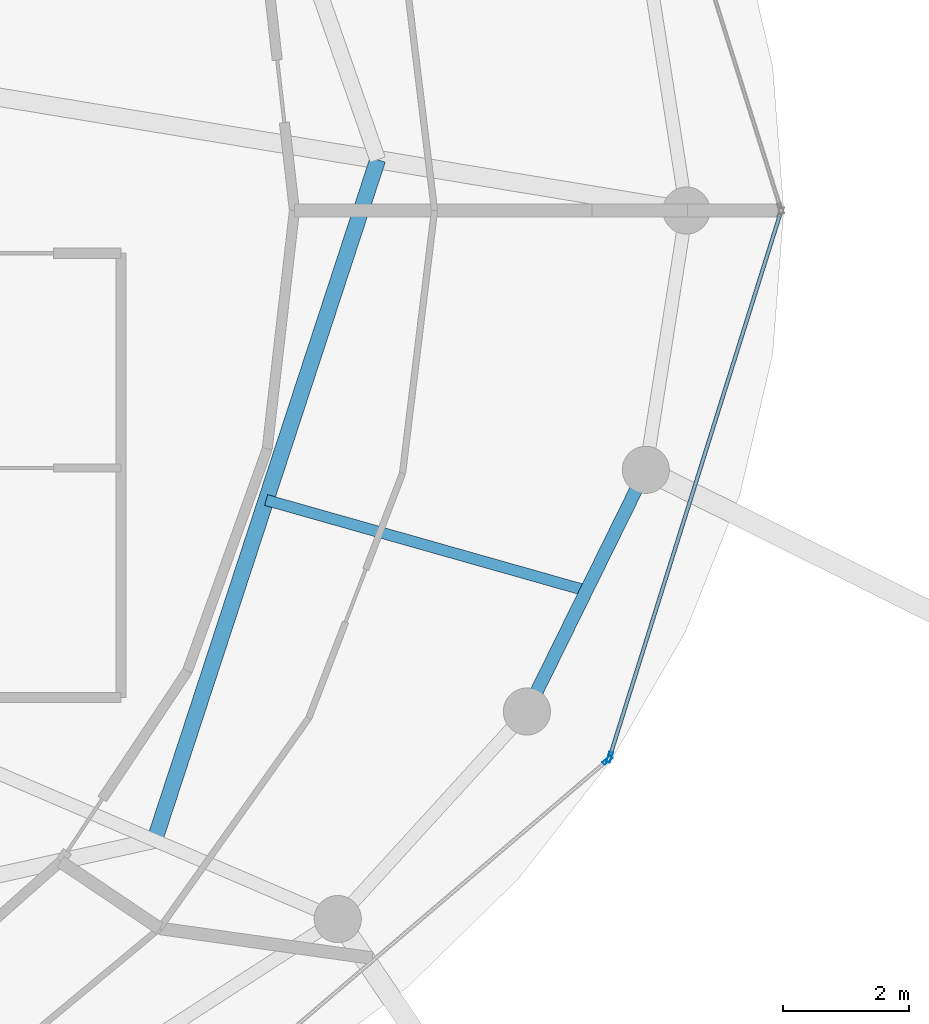
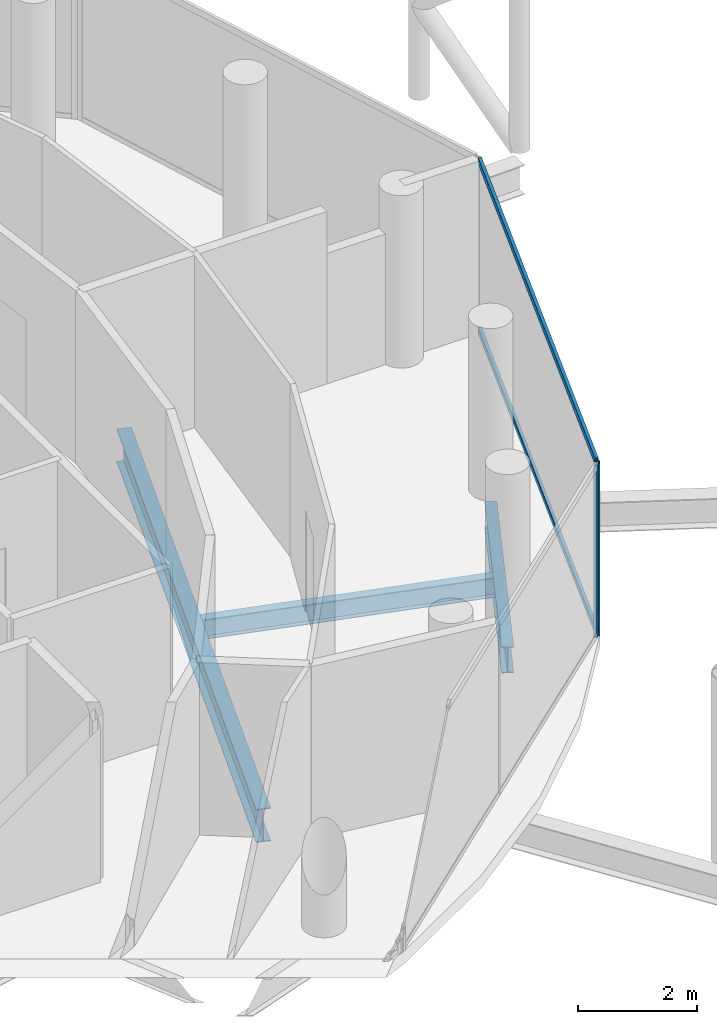
# One storey, part 10 of 24: 4 members, 3 beams, 2 elements without a shape of their own.
"""IFC4 building model written with IfcOpenShell, lengths in metres."""

from ifc_helpers import new_model, si_unit, direction, frame, origin, origin_2d, place, context, subcontext, project, spatial, hollow_rectangle, i_section, extrude, material, layer, layer_set, material_profile, profile_set, type_object, element, aggregate, save


model = new_model("IFC4")

# Units and contexts
model_context = context("Model", 3, precision=1e-05, world=origin(), true_north=direction((0.0, 1.0)))
body_context = subcontext(model_context, "Body", "Model", "MODEL_VIEW")
ifc_project = project(units=[si_unit("LENGTHUNIT", "METRE"), si_unit("AREAUNIT", "SQUARE_METRE"), si_unit("VOLUMEUNIT", "CUBIC_METRE"), si_unit("PLANEANGLEUNIT", "RADIAN"), si_unit("MASSUNIT", "GRAM", prefix="KILO")], contexts=[model_context])

# Site, building, storey
site_placement = place(None, origin())
site = spatial("IfcSite", under=ifc_project, at=site_placement, CompositionType="ELEMENT")
building_placement = place(site_placement, origin())
building = spatial("IfcBuilding", under=site, at=building_placement, Name="Nuhasar Tower", CompositionType="ELEMENT")
storey_placement = place(building_placement, frame((0.0, 0.0, 270.800048828125)))
storey = spatial("IfcBuildingStorey", under=building, at=storey_placement, Name="L67", CompositionType="ELEMENT", Elevation=270.800048828125)

# Beams
ifc_material_1 = material(Name="Steel S355", Category="steel")
ifc_material_profile_1 = material_profile(ifc_material_1, i_section(OverallWidth=0.25390625, OverallDepth=0.68408203125, WebThickness=0.012451171875, FlangeThickness=0.018798828125, at=origin_2d()), Name="W27X94")
ifc_profile_set_1 = profile_set([ifc_material_profile_1], Name="Steel S355")
beam_type_1 = type_object("IfcBeamType", Name="BM-INRING-W27X94", PredefinedType="BEAM", material=ifc_profile_set_1)
beam_1_placement = place(storey_placement, frame((49.48388671875, 16.77392578125, -0.60205078125), z_axis=(0.311483801376, 0.950251462235, 0.0), x_axis=(-0.950251462235, 0.311483801376, 0.0)))
element("IfcBeam", 1, at=beam_1_placement, inside=storey, type_object=beam_type_1, Name="L67 Inner Header Beam 03", PredefinedType="BEAM", context=body_context, shape_type="SweptSolid", body=[
    extrude(i_section(OverallWidth=0.25390625, OverallDepth=0.68408203125, WebThickness=0.012451171875, FlangeThickness=0.018798828125, at=origin_2d()), origin(), (0.0, 0.0, 1.0), 11.403564453125),
])
ifc_material_profile_2 = material_profile(ifc_material_1, i_section(OverallWidth=0.177978515625, OverallDepth=0.406005859375, WebThickness=0.0078125, FlangeThickness=0.0126953125, at=origin_2d()), Name="W16X40")
ifc_profile_set_2 = profile_set([ifc_material_profile_2], Name="Steel S355")
beam_type_2 = type_object("IfcBeamType", Name="BM-JST-W16X40", PredefinedType="JOIST", material=ifc_profile_set_2)
beam_2_placement = place(storey_placement, frame((51.260009765625, 22.19189453125, -0.463134765625), z_axis=(0.962154316042, -0.272505178156, 0.0), x_axis=(0.272505178156, 0.962154316042, 0.0)))
element("IfcBeam", 2, at=beam_2_placement, inside=storey, type_object=beam_type_2, Name="L67 Secondary Floor Joist 03", PredefinedType="JOIST", context=body_context, shape_type="SweptSolid", body=[
    extrude(i_section(OverallWidth=0.177978515625, OverallDepth=0.406005859375, WebThickness=0.0078125, FlangeThickness=0.0126953125, at=origin_2d()), origin(), (0.0, 0.0, 1.0), 5.29833984375),
])
ifc_material_profile_3 = material_profile(ifc_material_1, i_section(OverallWidth=0.2099609375, OverallDepth=0.537109375, WebThickness=0.010986328125, FlangeThickness=0.017333984375, at=origin_2d()), Name="W21X68")
ifc_profile_set_3 = profile_set([ifc_material_profile_3], Name="Steel S355")
beam_type_3 = type_object("IfcBeamType", Name="BM-RING-W21X68", PredefinedType="SPANDREL", material=ifc_profile_set_3)
beam_3_placement = place(storey_placement, frame((55.410888671875, 18.824951171875, -0.528076171875), z_axis=(0.441510561726, 0.897256052576, 0.0), x_axis=(-0.897256052576, 0.441510561726, 0.0)))
element("IfcBeam", 3, at=beam_3_placement, inside=storey, type_object=beam_type_3, Name="L67 Perimeter Ring Spandrel 23", PredefinedType="SPANDREL", context=body_context, shape_type="SweptSolid", body=[
    extrude(i_section(OverallWidth=0.2099609375, OverallDepth=0.537109375, WebThickness=0.010986328125, FlangeThickness=0.017333984375, at=origin_2d()), origin(), (0.0, 0.0, 1.0), 4.28759765625),
])

# Curtain wall, member
ifc_material_2 = material(Name="Aluminium 6063-T6", Category="aluminium")
ifc_layer = layer(ifc_material_2, 0.18994140625)
ifc_layer_set = layer_set([ifc_layer], Name="Aluminium 6063-T6")
curtain_wall_type = type_object("IfcCurtainWallType", Name="CW-Z4-PEN", PredefinedType="NOTDEFINED", material=ifc_layer_set)
curtain_wall_1_placement = place(storey_placement, origin())
curtain_wall_1 = element("IfcCurtainWall", 4, at=curtain_wall_1_placement, inside=storey, type_object=curtain_wall_type, Name="L67 Unitised Curtain Wall 11", PredefinedType="NOTDEFINED")
ifc_material_profile_4 = material_profile(ifc_material_2, hollow_rectangle(XDim=0.06005859375, YDim=0.1650390625, WallThickness=0.0048828125, at=origin_2d()), Name="CWM-5")
ifc_profile_set_4 = profile_set([ifc_material_profile_4], Name="Aluminium 6063-T6")
member_type_1 = type_object("IfcMemberType", Name="CW-MUL-S5", PredefinedType="MULLION", material=ifc_profile_set_4)
member_1_placement = place(storey_placement, frame((56.6962890625, 18.050537109375, 0.0), z_axis=(0.0, 0.0, 1.0), x_axis=(-0.649141996205, 0.760667252327, 0.0)))
member_1 = element("IfcMember", 5, at=member_1_placement, type_object=member_type_1, Name="CW-Z4 mullion 2", PredefinedType="MULLION", context=body_context, shape_type="SweptSolid", body=[
    extrude(hollow_rectangle(XDim=0.06005859375, YDim=0.1650390625, WallThickness=0.0048828125, at=origin_2d()), origin(), (0.0, 0.0, 1.0), 3.5400390625),
])
aggregate(curtain_wall_1, [member_1])

# Curtain wall, members
curtain_wall_2_placement = place(storey_placement, origin())
curtain_wall_2 = element("IfcCurtainWall", 6, at=curtain_wall_2_placement, inside=storey, type_object=curtain_wall_type, Name="L67 Unitised Curtain Wall 12", PredefinedType="NOTDEFINED")
member_2_placement = place(storey_placement, frame((56.72802734375, 18.0986328125, 0.0), z_axis=(0.0, 0.0, 1.0), x_axis=(-0.954078526601, 0.299556614146, 0.0)))
member_2 = element("IfcMember", 7, at=member_2_placement, type_object=member_type_1, Name="CW-Z4 mullion 1", PredefinedType="MULLION", context=body_context, shape_type="SweptSolid", body=[
    extrude(hollow_rectangle(XDim=0.06005859375, YDim=0.1650390625, WallThickness=0.0048828125, at=origin_2d()), origin(), (0.0, 0.0, 1.0), 3.5400390625),
])
ifc_material_profile_5 = material_profile(ifc_material_2, hollow_rectangle(XDim=0.06005859375, YDim=0.135009765625, WallThickness=0.00439453125, at=origin_2d()), Name="CWT-5")
ifc_profile_set_5 = profile_set([ifc_material_profile_5], Name="Aluminium 6063-T6")
member_type_2 = type_object("IfcMemberType", Name="CW-TRN-S5", PredefinedType="USERDEFINED", material=ifc_profile_set_5)
member_3_placement = place(storey_placement, frame((56.737060546875, 18.127197265625, 0.030029296875), z_axis=(0.29956014073, 0.954077419335, 0.0), x_axis=(-0.954077419335, 0.29956014073, 0.0)))
member_3 = element("IfcMember", 8, at=member_3_placement, type_object=member_type_2, Name="CW-Z4 transom 1.1", ObjectType="TRANSOM", PredefinedType="USERDEFINED", context=body_context, shape_type="SweptSolid", body=[
    extrude(hollow_rectangle(XDim=0.06005859375, YDim=0.135009765625, WallThickness=0.00439453125, at=origin_2d()), origin(), (0.0, 0.0, 1.0), 9.0302734375),
])
member_4_placement = place(storey_placement, frame((56.737060546875, 18.127197265625, 3.510009765625), z_axis=(0.29956014073, 0.954077419335, 0.0), x_axis=(-0.954077419335, 0.29956014073, 0.0)))
member_4 = element("IfcMember", 9, at=member_4_placement, type_object=member_type_2, Name="CW-Z4 transom 1.2", ObjectType="TRANSOM", PredefinedType="USERDEFINED", context=body_context, shape_type="SweptSolid", body=[
    extrude(hollow_rectangle(XDim=0.06005859375, YDim=0.135009765625, WallThickness=0.00439453125, at=origin_2d()), origin(), (0.0, 0.0, 1.0), 9.0302734375),
])
aggregate(curtain_wall_2, [member_2, member_3, member_4])

save(model, "model.ifc")
